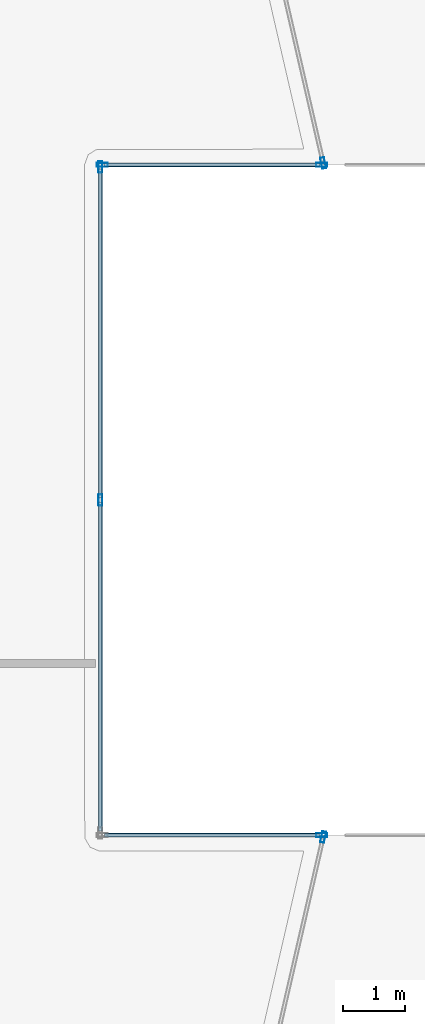
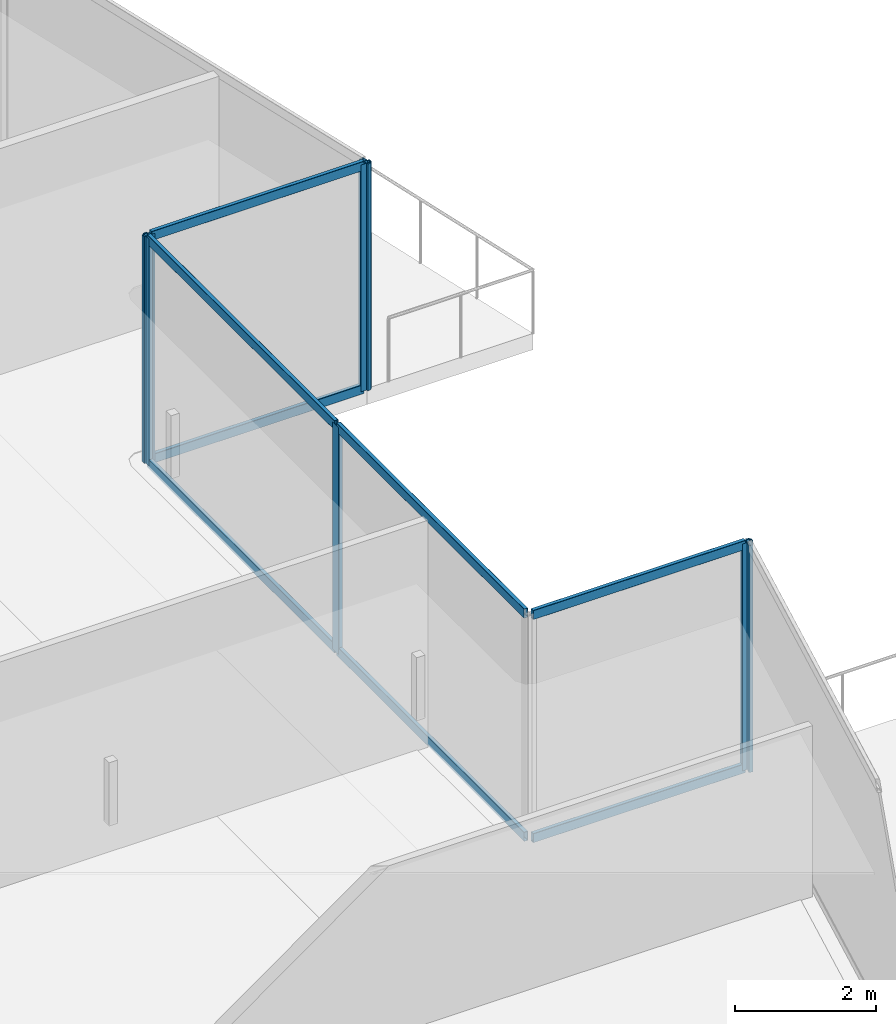
# One storey, part 24 of 43: 15 members, 5 elements without a shape of their own.
"""IFC4 building model written with IfcOpenShell, lengths in metres."""

from ifc_helpers import new_model, si_unit, direction, frame, origin, origin_2d, place, context, subcontext, project, spatial, hollow_rectangle, extrude, material, layer, layer_set, material_profile, profile_set, type_object, element, aggregate, save


model = new_model("IFC4")

# Units and contexts
model_context = context("Model", 3, precision=1e-05, world=origin(), true_north=direction((0.0, 1.0)))
body_context = subcontext(model_context, "Body", "Model", "MODEL_VIEW")
ifc_project = project(units=[si_unit("LENGTHUNIT", "METRE"), si_unit("AREAUNIT", "SQUARE_METRE"), si_unit("VOLUMEUNIT", "CUBIC_METRE"), si_unit("PLANEANGLEUNIT", "RADIAN"), si_unit("MASSUNIT", "GRAM", prefix="KILO")], contexts=[model_context])

# Site, building, storey
site_placement = place(None, origin())
site = spatial("IfcSite", under=ifc_project, at=site_placement, CompositionType="ELEMENT")
building_placement = place(site_placement, origin())
building = spatial("IfcBuilding", under=site, at=building_placement, Name="Qorvath Tower", CompositionType="ELEMENT")
storey_placement = place(building_placement, frame((0.0, 0.0, 36.60009765625)))
storey = spatial("IfcBuildingStorey", under=building, at=storey_placement, Name="L07", CompositionType="ELEMENT", Elevation=36.60009765625)

# Curtain wall, member
ifc_material_1 = material(Name="Anodised aluminium and triple low-E glass", Category="aluminium")
ifc_layer = layer(ifc_material_1, 0.179931640625)
ifc_layer_set = layer_set([ifc_layer], Name="CW-SYS-2")
curtain_wall_type = type_object("IfcCurtainWallType", Name="CW-SYS-2", PredefinedType="NOTDEFINED", material=ifc_layer_set)
curtain_wall_1_placement = place(storey_placement, origin())
curtain_wall_1 = element("IfcCurtainWall", 1, at=curtain_wall_1_placement, inside=storey, type_object=curtain_wall_type, Name="Curtain Wall CW-2 CW-T-L07-7.1", PredefinedType="NOTDEFINED")
ifc_material_2 = material(Name="Anodised aluminium 6063-T6", Category="aluminium")
ifc_material_profile_1 = material_profile(ifc_material_2, hollow_rectangle(XDim=0.06494140625, YDim=0.179931640625, WallThickness=0.00341796875, InnerFilletRadius=0.00341796875, OuterFilletRadius=0.007080078125, at=origin_2d()), Name="CWM 180x65")
ifc_profile_set_1 = profile_set([ifc_material_profile_1], Name="Anodised aluminium 6063-T6")
member_type_1 = type_object("IfcMemberType", Name="CWM-180", PredefinedType="MULLION", material=ifc_profile_set_1)
member_1_placement = place(storey_placement, frame((7.597412109375, -5.431640625, 0.0), z_axis=(0.0, 0.0, 1.0), x_axis=(-0.974480701691, 0.22447129445, 0.0)))
member_1 = element("IfcMember", 2, at=member_1_placement, type_object=member_type_1, Name="CW-2 mullion 2", PredefinedType="MULLION", context=body_context, shape_type="SweptSolid", body=[
    extrude(hollow_rectangle(XDim=0.06494140625, YDim=0.179931640625, WallThickness=0.00341796875, InnerFilletRadius=0.00341796875, OuterFilletRadius=0.007080078125, at=origin_2d()), origin(), (0.0, 0.0, 1.0), 3.919921875),
])
aggregate(curtain_wall_1, [member_1])

curtain_wall_2_placement = place(storey_placement, origin())
curtain_wall_2 = element("IfcCurtainWall", 3, at=curtain_wall_2_placement, inside=storey, type_object=curtain_wall_type, Name="Curtain Wall CW-2 CW-T-L07-8.1", PredefinedType="NOTDEFINED")
member_2_placement = place(storey_placement, frame((7.572265625, -5.39990234375, 0.0), z_axis=(0.0, 0.0, 1.0), x_axis=(0.0, -1.0, 0.0)))
member_2 = element("IfcMember", 4, at=member_2_placement, type_object=member_type_1, Name="CW-2 mullion 1", PredefinedType="MULLION", context=body_context, shape_type="SweptSolid", body=[
    extrude(hollow_rectangle(XDim=0.06494140625, YDim=0.179931640625, WallThickness=0.00341796875, InnerFilletRadius=0.00341796875, OuterFilletRadius=0.007080078125, at=origin_2d()), origin(), (0.0, 0.0, 1.0), 3.919921875),
])

# Curtain wall, members
curtain_wall_3_placement = place(storey_placement, origin())
curtain_wall_3 = element("IfcCurtainWall", 5, at=curtain_wall_3_placement, inside=storey, type_object=curtain_wall_type, Name="Curtain Wall CW-2 CW-T-L07-9.1", PredefinedType="NOTDEFINED")
member_3_placement = place(storey_placement, frame((4.0048828125, 0.0, 0.0), z_axis=(0.0, 0.0, 1.0), x_axis=(-1.0, 0.0, 0.0)))
member_3 = element("IfcMember", 6, at=member_3_placement, type_object=member_type_1, Name="CW-2 mullion 2", PredefinedType="MULLION", context=body_context, shape_type="SweptSolid", body=[
    extrude(hollow_rectangle(XDim=0.06494140625, YDim=0.179931640625, WallThickness=0.00341796875, InnerFilletRadius=0.00341796875, OuterFilletRadius=0.007080078125, at=origin_2d()), origin(), (0.0, 0.0, 1.0), 3.919921875),
])
member_4_placement = place(storey_placement, frame((4.0048828125, 5.367431640625, 0.0), z_axis=(0.0, 0.0, 1.0), x_axis=(-1.0, 0.0, 0.0)))
member_4 = element("IfcMember", 7, at=member_4_placement, type_object=member_type_1, Name="CW-2 mullion 3", PredefinedType="MULLION", context=body_context, shape_type="SweptSolid", body=[
    extrude(hollow_rectangle(XDim=0.06494140625, YDim=0.179931640625, WallThickness=0.00341796875, InnerFilletRadius=0.00341796875, OuterFilletRadius=0.007080078125, at=origin_2d()), origin(), (0.0, 0.0, 1.0), 3.919921875),
])

curtain_wall_4_placement = place(storey_placement, origin())
curtain_wall_4 = element("IfcCurtainWall", 8, at=curtain_wall_4_placement, inside=storey, type_object=curtain_wall_type, Name="Curtain Wall CW-2 CW-T-L07-10.1", PredefinedType="NOTDEFINED")
member_5_placement = place(storey_placement, frame((4.037353515625, 5.39990234375, 0.0), z_axis=(0.0, 0.0, 1.0), x_axis=(0.0, 1.0, 0.0)))
member_5 = element("IfcMember", 9, at=member_5_placement, type_object=member_type_1, Name="CW-2 mullion 1", PredefinedType="MULLION", context=body_context, shape_type="SweptSolid", body=[
    extrude(hollow_rectangle(XDim=0.06494140625, YDim=0.179931640625, WallThickness=0.00341796875, InnerFilletRadius=0.00341796875, OuterFilletRadius=0.007080078125, at=origin_2d()), origin(), (0.0, 0.0, 1.0), 3.919921875),
])
member_6_placement = place(storey_placement, frame((7.572265625, 5.39990234375, 0.0), z_axis=(0.0, 0.0, 1.0), x_axis=(0.0, 1.0, 0.0)))
member_6 = element("IfcMember", 10, at=member_6_placement, type_object=member_type_1, Name="CW-2 mullion 2", PredefinedType="MULLION", context=body_context, shape_type="SweptSolid", body=[
    extrude(hollow_rectangle(XDim=0.06494140625, YDim=0.179931640625, WallThickness=0.00341796875, InnerFilletRadius=0.00341796875, OuterFilletRadius=0.007080078125, at=origin_2d()), origin(), (0.0, 0.0, 1.0), 3.919921875),
])

# Curtain wall, member
curtain_wall_5_placement = place(storey_placement, origin())
curtain_wall_5 = element("IfcCurtainWall", 11, at=curtain_wall_5_placement, inside=storey, type_object=curtain_wall_type, Name="Curtain Wall CW-2 CW-T-L07-11.1", PredefinedType="NOTDEFINED")
member_7_placement = place(storey_placement, frame((7.597412109375, 5.431640625, 0.0), z_axis=(0.0, 0.0, 1.0), x_axis=(-0.974480701691, -0.22447129445, 0.0)))
member_7 = element("IfcMember", 12, at=member_7_placement, type_object=member_type_1, Name="CW-2 mullion 1", PredefinedType="MULLION", context=body_context, shape_type="SweptSolid", body=[
    extrude(hollow_rectangle(XDim=0.06494140625, YDim=0.179931640625, WallThickness=0.00341796875, InnerFilletRadius=0.00341796875, OuterFilletRadius=0.007080078125, at=origin_2d()), origin(), (0.0, 0.0, 1.0), 3.919921875),
])
aggregate(curtain_wall_5, [member_7])

# Member
ifc_material_3 = material(Name="Anodised aluminium 6063-T6", Category="aluminium")
ifc_material_profile_2 = material_profile(ifc_material_3, hollow_rectangle(XDim=0.06494140625, YDim=0.159912109375, WallThickness=0.00341796875, InnerFilletRadius=0.00341796875, OuterFilletRadius=0.007080078125, at=origin_2d()), Name="CWT 160x65")
ifc_profile_set_2 = profile_set([ifc_material_profile_2], Name="Anodised aluminium 6063-T6")
member_type_2 = type_object("IfcMemberType", Name="CWT-160", PredefinedType="USERDEFINED", material=ifc_profile_set_2)
member_8_placement = place(storey_placement, frame((7.539794921875, -5.39990234375, 0.032470703125), z_axis=(-1.0, 0.0, 0.0), x_axis=(0.0, -1.0, 0.0)))
member_8 = element("IfcMember", 13, at=member_8_placement, type_object=member_type_2, Name="CW-2 transom 1.1", ObjectType="TRANSOM", PredefinedType="USERDEFINED", context=body_context, shape_type="SweptSolid", body=[
    extrude(hollow_rectangle(XDim=0.06494140625, YDim=0.159912109375, WallThickness=0.00341796875, InnerFilletRadius=0.00341796875, OuterFilletRadius=0.007080078125, at=origin_2d()), origin(), (0.0, 0.0, 1.0), 3.469970703125),
])

member_9_placement = place(storey_placement, frame((7.539794921875, -5.39990234375, 3.887451171875), z_axis=(-1.0, 0.0, 0.0), x_axis=(0.0, -1.0, 0.0)))
member_9 = element("IfcMember", 14, at=member_9_placement, type_object=member_type_2, Name="CW-2 transom 1.2", ObjectType="TRANSOM", PredefinedType="USERDEFINED", context=body_context, shape_type="SweptSolid", body=[
    extrude(hollow_rectangle(XDim=0.06494140625, YDim=0.159912109375, WallThickness=0.00341796875, InnerFilletRadius=0.00341796875, OuterFilletRadius=0.007080078125, at=origin_2d()), origin(), (0.0, 0.0, 1.0), 3.469970703125),
])

aggregate(curtain_wall_2, [member_2, member_8, member_9])

member_10_placement = place(storey_placement, frame((4.0048828125, -5.3349609375, 0.032470703125), z_axis=(0.0, 1.0, 0.0), x_axis=(-1.0, 0.0, 0.0)))
member_10 = element("IfcMember", 15, at=member_10_placement, type_object=member_type_2, Name="CW-2 transom 1.1", ObjectType="TRANSOM", PredefinedType="USERDEFINED", context=body_context, shape_type="SweptSolid", body=[
    extrude(hollow_rectangle(XDim=0.06494140625, YDim=0.159912109375, WallThickness=0.00341796875, InnerFilletRadius=0.00341796875, OuterFilletRadius=0.007080078125, at=origin_2d()), origin(), (0.0, 0.0, 1.0), 5.302490234375),
])

member_11_placement = place(storey_placement, frame((4.0048828125, -5.3349609375, 3.887451171875), z_axis=(0.0, 1.0, 0.0), x_axis=(-1.0, 0.0, 0.0)))
member_11 = element("IfcMember", 16, at=member_11_placement, type_object=member_type_2, Name="CW-2 transom 1.2", ObjectType="TRANSOM", PredefinedType="USERDEFINED", context=body_context, shape_type="SweptSolid", body=[
    extrude(hollow_rectangle(XDim=0.06494140625, YDim=0.159912109375, WallThickness=0.00341796875, InnerFilletRadius=0.00341796875, OuterFilletRadius=0.007080078125, at=origin_2d()), origin(), (0.0, 0.0, 1.0), 5.302490234375),
])

member_12_placement = place(storey_placement, frame((4.0048828125, 0.032470703125, 0.032470703125), z_axis=(0.0, 1.0, 0.0), x_axis=(-1.0, 0.0, 0.0)))
member_12 = element("IfcMember", 17, at=member_12_placement, type_object=member_type_2, Name="CW-2 transom 2.1", ObjectType="TRANSOM", PredefinedType="USERDEFINED", context=body_context, shape_type="SweptSolid", body=[
    extrude(hollow_rectangle(XDim=0.06494140625, YDim=0.159912109375, WallThickness=0.00341796875, InnerFilletRadius=0.00341796875, OuterFilletRadius=0.007080078125, at=origin_2d()), origin(), (0.0, 0.0, 1.0), 5.302490234375),
])

member_13_placement = place(storey_placement, frame((4.0048828125, 0.032470703125, 3.887451171875), z_axis=(0.0, 1.0, 0.0), x_axis=(-1.0, 0.0, 0.0)))
member_13 = element("IfcMember", 18, at=member_13_placement, type_object=member_type_2, Name="CW-2 transom 2.2", ObjectType="TRANSOM", PredefinedType="USERDEFINED", context=body_context, shape_type="SweptSolid", body=[
    extrude(hollow_rectangle(XDim=0.06494140625, YDim=0.159912109375, WallThickness=0.00341796875, InnerFilletRadius=0.00341796875, OuterFilletRadius=0.007080078125, at=origin_2d()), origin(), (0.0, 0.0, 1.0), 5.302490234375),
])

aggregate(curtain_wall_3, [member_3, member_4, member_10, member_11, member_12, member_13])

member_14_placement = place(storey_placement, frame((4.06982421875, 5.39990234375, 0.032470703125), z_axis=(1.0, 0.0, 0.0), x_axis=(0.0, 1.0, 0.0)))
member_14 = element("IfcMember", 19, at=member_14_placement, type_object=member_type_2, Name="CW-2 transom 1.1", ObjectType="TRANSOM", PredefinedType="USERDEFINED", context=body_context, shape_type="SweptSolid", body=[
    extrude(hollow_rectangle(XDim=0.06494140625, YDim=0.159912109375, WallThickness=0.00341796875, InnerFilletRadius=0.00341796875, OuterFilletRadius=0.007080078125, at=origin_2d()), origin(), (0.0, 0.0, 1.0), 3.469970703125),
])

member_15_placement = place(storey_placement, frame((4.06982421875, 5.39990234375, 3.887451171875), z_axis=(1.0, 0.0, 0.0), x_axis=(0.0, 1.0, 0.0)))
member_15 = element("IfcMember", 20, at=member_15_placement, type_object=member_type_2, Name="CW-2 transom 1.2", ObjectType="TRANSOM", PredefinedType="USERDEFINED", context=body_context, shape_type="SweptSolid", body=[
    extrude(hollow_rectangle(XDim=0.06494140625, YDim=0.159912109375, WallThickness=0.00341796875, InnerFilletRadius=0.00341796875, OuterFilletRadius=0.007080078125, at=origin_2d()), origin(), (0.0, 0.0, 1.0), 3.469970703125),
])

aggregate(curtain_wall_4, [member_5, member_6, member_14, member_15])

save(model, "model.ifc")
